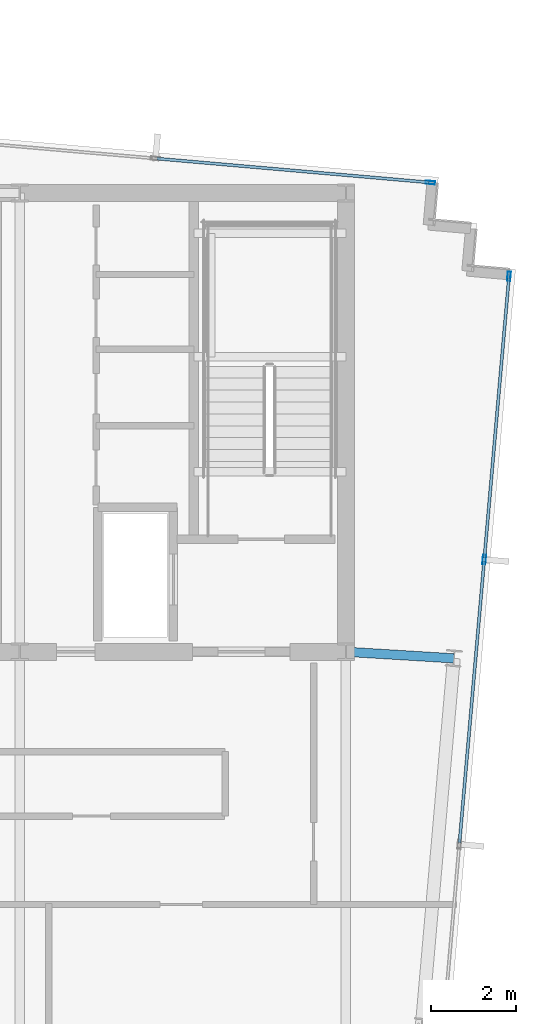
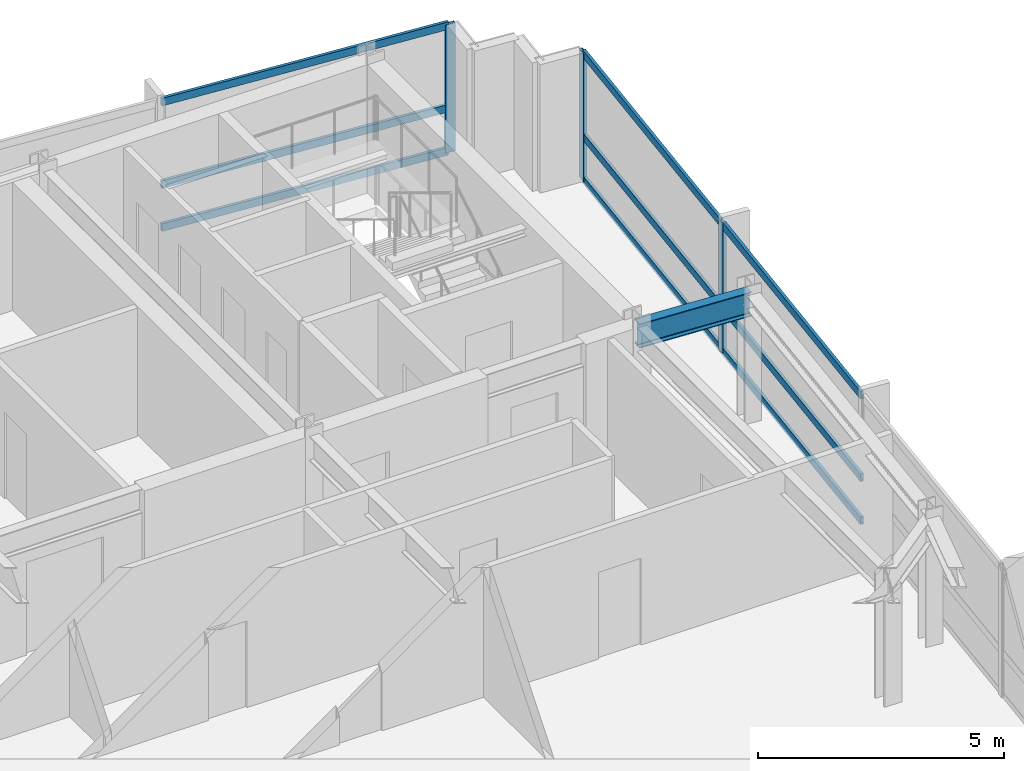
# One storey, part 14 of 24: 12 members, 1 beam, 2 elements without a shape of their own.
"""IFC4 building model written with IfcOpenShell, lengths in metres."""

from ifc_helpers import new_model, si_unit, direction, frame, origin, origin_2d, place, context, subcontext, project, spatial, hollow_rectangle, i_section, extrude, material, material_profile, profile_set, type_object, element, aggregate, save


model = new_model("IFC4")

# Units and contexts
model_context = context("Model", 3, precision=1e-05, world=origin(), true_north=direction((0.0, 1.0)))
body_context = subcontext(model_context, "Body", "Model", "MODEL_VIEW")
ifc_project = project(units=[si_unit("LENGTHUNIT", "METRE"), si_unit("AREAUNIT", "SQUARE_METRE"), si_unit("VOLUMEUNIT", "CUBIC_METRE"), si_unit("PLANEANGLEUNIT", "RADIAN"), si_unit("MASSUNIT", "GRAM", prefix="KILO")], contexts=[model_context])

# Site, building, storey
site_placement = place(None, origin())
site = spatial("IfcSite", under=ifc_project, at=site_placement, CompositionType="ELEMENT")
building_placement = place(site_placement, origin())
building = spatial("IfcBuilding", under=site, at=building_placement, Name="Yelkora Congress Tower", CompositionType="ELEMENT")
storey_placement = place(building_placement, frame((0.0, 0.0, 296.5)))
storey = spatial("IfcBuildingStorey", under=building, at=storey_placement, Name="L83", CompositionType="ELEMENT", Elevation=296.5)

# Beam
ifc_material_1 = material(Name="Steel S355J2", Category="steel")
ifc_material_profile_1 = material_profile(ifc_material_1, i_section(OverallWidth=0.219970703125, OverallDepth=0.60009765625, WebThickness=0.011962890625, FlangeThickness=0.01904296875, FilletRadius=0.02392578125, at=origin_2d()), Name="IPE 600")
ifc_profile_set_1 = profile_set([ifc_material_profile_1], Name="Steel S355J2")
beam_type = type_object("IfcBeamType", Name="BM-GIRD-IPE600", PredefinedType="BEAM", material=ifc_profile_set_1)
beam_placement = place(storey_placement, frame((56.302001953125, 35.24560546875, 2.8798828125), z_axis=(-0.99816287892, 0.060587681471, 0.0), x_axis=(-0.060587681471, -0.99816287892, 0.0)))
element("IfcBeam", 1, at=beam_placement, inside=storey, type_object=beam_type, Name="L83 Primary Frame Girder E02", PredefinedType="BEAM", context=body_context, shape_type="SweptSolid", body=[
    extrude(i_section(OverallWidth=0.219970703125, OverallDepth=0.60009765625, WebThickness=0.011962890625, FlangeThickness=0.01904296875, FilletRadius=0.02392578125, at=origin_2d()), origin(), (0.0, 0.0, 1.0), 2.546630859375),
])

# Curtain wall, member
ifc_material_2 = material(Name="Anodised aluminium and insulated glass", Category="aluminium")
curtain_wall_type = type_object("IfcCurtainWallType", Name="CW-SYS-SKY", PredefinedType="NOTDEFINED", material=ifc_material_2)
curtain_wall_1_placement = place(storey_placement, origin())
curtain_wall_1 = element("IfcCurtainWall", 2, at=curtain_wall_1_placement, inside=storey, type_object=curtain_wall_type, Name="L83 Unitised Curtain Wall 10", PredefinedType="NOTDEFINED")
ifc_material_3 = material(Name="Anodised aluminium 6063-T6", Category="aluminium")
ifc_material_profile_2 = material_profile(ifc_material_3, hollow_rectangle(XDim=0.074951171875, YDim=0.219970703125, WallThickness=0.0048828125, at=origin_2d()), Name="ALU 75x220x5")
ifc_profile_set_2 = profile_set([ifc_material_profile_2], Name="Anodised aluminium 6063-T6")
member_type_1 = type_object("IfcMemberType", Name="MEM-ML-SKY", PredefinedType="MULLION", material=ifc_profile_set_2)
member_1_placement = place(storey_placement, frame((55.74853515625, 46.4462890625, 0.0), z_axis=(0.0, 0.0, 1.0), x_axis=(0.087156639893, 0.996194619601, 0.0)))
member_1 = element("IfcMember", 3, at=member_1_placement, type_object=member_type_1, Name="CW-SKY mullion 8", PredefinedType="MULLION", context=body_context, shape_type="SweptSolid", body=[
    extrude(hollow_rectangle(XDim=0.074951171875, YDim=0.219970703125, WallThickness=0.0048828125, at=origin_2d()), origin(), (0.0, 0.0, 1.0), 3.179931640625),
])

# Curtain wall, members
curtain_wall_2_placement = place(storey_placement, origin())
curtain_wall_2 = element("IfcCurtainWall", 4, at=curtain_wall_2_placement, inside=storey, type_object=curtain_wall_type, Name="L83 Unitised Curtain Wall 15", PredefinedType="NOTDEFINED")
member_2_placement = place(storey_placement, frame((57.600830078125, 44.239013671875, 0.0), z_axis=(0.0, 0.0, 1.0), x_axis=(0.996194463398, -0.087158425264, 0.0)))
member_2 = element("IfcMember", 5, at=member_2_placement, type_object=member_type_1, Name="CW-SKY mullion 1", PredefinedType="MULLION", context=body_context, shape_type="SweptSolid", body=[
    extrude(hollow_rectangle(XDim=0.074951171875, YDim=0.219970703125, WallThickness=0.0048828125, at=origin_2d()), origin(), (0.0, 0.0, 1.0), 3.179931640625),
])
member_3_placement = place(storey_placement, frame((57.017578125, 37.572021484375, 0.0), z_axis=(0.0, 0.0, 1.0), x_axis=(0.996194463398, -0.087158425264, 0.0)))
member_3 = element("IfcMember", 6, at=member_3_placement, type_object=member_type_1, Name="CW-SKY mullion 2", PredefinedType="MULLION", context=body_context, shape_type="SweptSolid", body=[
    extrude(hollow_rectangle(XDim=0.074951171875, YDim=0.219970703125, WallThickness=0.0048828125, at=origin_2d()), origin(), (0.0, 0.0, 1.0), 3.179931640625),
])

# Member
ifc_material_profile_3 = material_profile(ifc_material_3, hollow_rectangle(XDim=0.070068359375, YDim=0.18994140625, WallThickness=0.00390625, at=origin_2d()), Name="ALU 70x190x4")
ifc_profile_set_3 = profile_set([ifc_material_profile_3], Name="Anodised aluminium 6063-T6")
member_type_2 = type_object("IfcMemberType", Name="MEM-TR-SKY", PredefinedType="USERDEFINED", material=ifc_profile_set_3)
member_4_placement = place(storey_placement, frame((49.31689453125, 47.009033203125, 0.034912109375), z_axis=(0.996192767872, -0.08717780245, 0.0), x_axis=(0.08717780245, 0.996192767872, 0.0)))
member_4 = element("IfcMember", 7, at=member_4_placement, type_object=member_type_2, Name="CW-SKY transom 7.1", ObjectType="TRANSOM", PredefinedType="USERDEFINED", context=body_context, shape_type="SweptSolid", body=[
    extrude(hollow_rectangle(XDim=0.070068359375, YDim=0.18994140625, WallThickness=0.00390625, at=origin_2d()), origin(), (0.0, 0.0, 1.0), 6.418701171875),
])

member_5_placement = place(storey_placement, frame((49.31689453125, 47.009033203125, 1.10009765625), z_axis=(0.996192767872, -0.08717780245, 0.0), x_axis=(0.08717780245, 0.996192767872, 0.0)))
member_5 = element("IfcMember", 8, at=member_5_placement, type_object=member_type_2, Name="CW-SKY transom 7.2", ObjectType="TRANSOM", PredefinedType="USERDEFINED", context=body_context, shape_type="SweptSolid", body=[
    extrude(hollow_rectangle(XDim=0.070068359375, YDim=0.18994140625, WallThickness=0.00390625, at=origin_2d()), origin(), (0.0, 0.0, 1.0), 6.418701171875),
])

member_6_placement = place(storey_placement, frame((49.31689453125, 47.009033203125, 3.14501953125), z_axis=(0.996192767872, -0.08717780245, 0.0), x_axis=(0.08717780245, 0.996192767872, 0.0)))
member_6 = element("IfcMember", 9, at=member_6_placement, type_object=member_type_2, Name="CW-SKY transom 7.3", ObjectType="TRANSOM", PredefinedType="USERDEFINED", context=body_context, shape_type="SweptSolid", body=[
    extrude(hollow_rectangle(XDim=0.070068359375, YDim=0.18994140625, WallThickness=0.00390625, at=origin_2d()), origin(), (0.0, 0.0, 1.0), 6.418701171875),
])

aggregate(curtain_wall_1, [member_1, member_4, member_5, member_6])

member_7_placement = place(storey_placement, frame((57.59765625, 44.20166015625, 0.034912109375), z_axis=(-0.087178849491, -0.996192676244, 0.0), x_axis=(0.996192676244, -0.087178849491, 0.0)))
member_7 = element("IfcMember", 10, at=member_7_placement, type_object=member_type_2, Name="CW-SKY transom 1.1", ObjectType="TRANSOM", PredefinedType="USERDEFINED", context=body_context, shape_type="SweptSolid", body=[
    extrude(hollow_rectangle(XDim=0.070068359375, YDim=0.18994140625, WallThickness=0.00390625, at=origin_2d()), origin(), (0.0, 0.0, 1.0), 6.617431640625),
])

member_8_placement = place(storey_placement, frame((57.59765625, 44.20166015625, 1.10009765625), z_axis=(-0.087178849491, -0.996192676244, 0.0), x_axis=(0.996192676244, -0.087178849491, 0.0)))
member_8 = element("IfcMember", 11, at=member_8_placement, type_object=member_type_2, Name="CW-SKY transom 1.2", ObjectType="TRANSOM", PredefinedType="USERDEFINED", context=body_context, shape_type="SweptSolid", body=[
    extrude(hollow_rectangle(XDim=0.070068359375, YDim=0.18994140625, WallThickness=0.00390625, at=origin_2d()), origin(), (0.0, 0.0, 1.0), 6.617431640625),
])

member_9_placement = place(storey_placement, frame((57.59765625, 44.20166015625, 3.14501953125), z_axis=(-0.087178849491, -0.996192676244, 0.0), x_axis=(0.996192676244, -0.087178849491, 0.0)))
member_9 = element("IfcMember", 12, at=member_9_placement, type_object=member_type_2, Name="CW-SKY transom 1.3", ObjectType="TRANSOM", PredefinedType="USERDEFINED", context=body_context, shape_type="SweptSolid", body=[
    extrude(hollow_rectangle(XDim=0.070068359375, YDim=0.18994140625, WallThickness=0.00390625, at=origin_2d()), origin(), (0.0, 0.0, 1.0), 6.617431640625),
])

member_10_placement = place(storey_placement, frame((57.01416015625, 37.53466796875, 0.034912109375), z_axis=(-0.087128267941, -0.996197101444, 0.0), x_axis=(0.996197101444, -0.087128267941, 0.0)))
member_10 = element("IfcMember", 13, at=member_10_placement, type_object=member_type_2, Name="CW-SKY transom 2.1", ObjectType="TRANSOM", PredefinedType="USERDEFINED", context=body_context, shape_type="SweptSolid", body=[
    extrude(hollow_rectangle(XDim=0.070068359375, YDim=0.18994140625, WallThickness=0.00390625, at=origin_2d()), origin(), (0.0, 0.0, 1.0), 6.655029296875),
])

member_11_placement = place(storey_placement, frame((57.01416015625, 37.53466796875, 1.10009765625), z_axis=(-0.087128267941, -0.996197101444, 0.0), x_axis=(0.996197101444, -0.087128267941, 0.0)))
member_11 = element("IfcMember", 14, at=member_11_placement, type_object=member_type_2, Name="CW-SKY transom 2.2", ObjectType="TRANSOM", PredefinedType="USERDEFINED", context=body_context, shape_type="SweptSolid", body=[
    extrude(hollow_rectangle(XDim=0.070068359375, YDim=0.18994140625, WallThickness=0.00390625, at=origin_2d()), origin(), (0.0, 0.0, 1.0), 6.655029296875),
])

member_12_placement = place(storey_placement, frame((57.01416015625, 37.53466796875, 3.14501953125), z_axis=(-0.087128267941, -0.996197101444, 0.0), x_axis=(0.996197101444, -0.087128267941, 0.0)))
member_12 = element("IfcMember", 15, at=member_12_placement, type_object=member_type_2, Name="CW-SKY transom 2.3", ObjectType="TRANSOM", PredefinedType="USERDEFINED", context=body_context, shape_type="SweptSolid", body=[
    extrude(hollow_rectangle(XDim=0.070068359375, YDim=0.18994140625, WallThickness=0.00390625, at=origin_2d()), origin(), (0.0, 0.0, 1.0), 6.655029296875),
])

aggregate(curtain_wall_2, [member_2, member_3, member_7, member_8, member_9, member_10, member_11, member_12])

save(model, "model.ifc")
